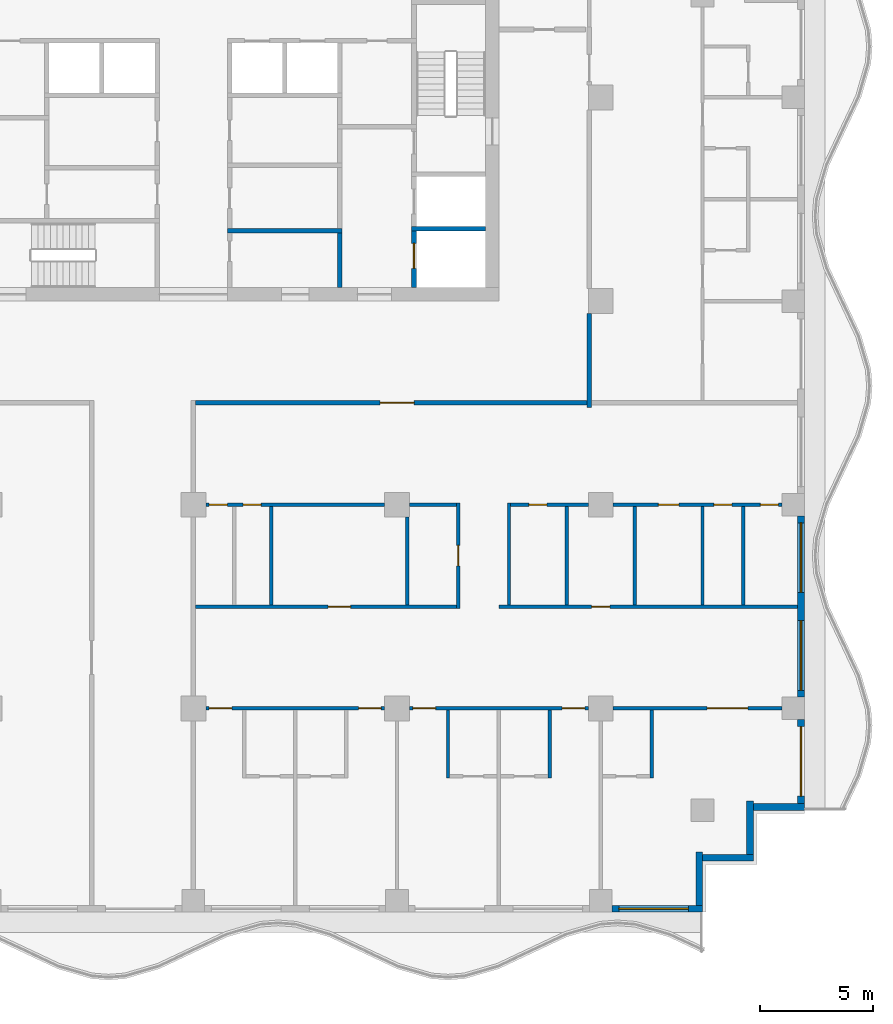
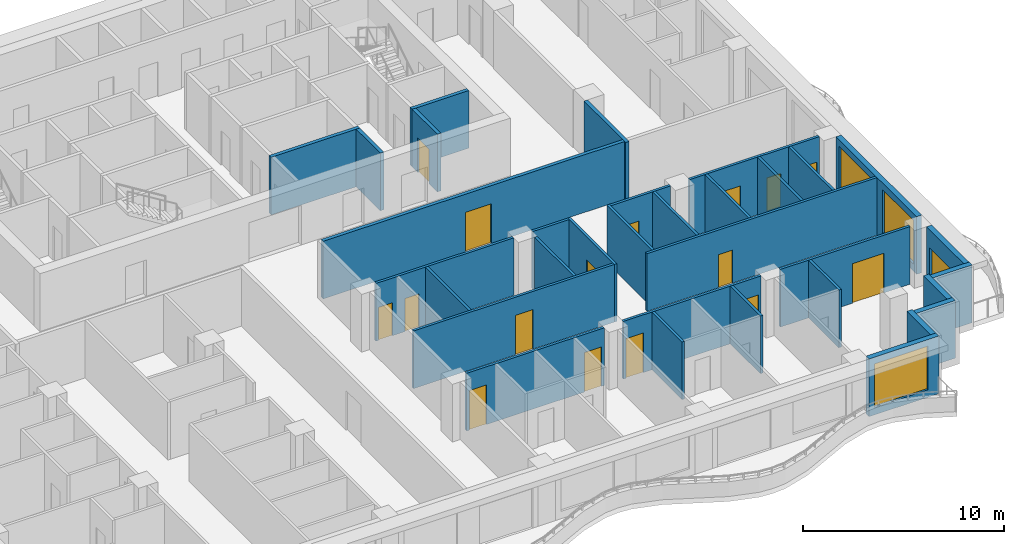
# One storey, part 4 of 12: 33 walls, 17 doors, 3 windows, 20 openings.
"""IFC4 building model written with IfcOpenShell, lengths in metres."""

from ifc_helpers import new_model, si_unit, direction, frame, frame_2d, origin, place, context, subcontext, project, spatial, rectangle, extrude, material, layer, layer_set, type_object, element, fill, save


model = new_model("IFC4")

# Units and contexts
model_context = context("Model", 3, precision=1e-05, world=origin(), true_north=direction((0.0, 1.0)))
body_context = subcontext(model_context, "Body", "Model", "MODEL_VIEW")
ifc_project = project(units=[si_unit("LENGTHUNIT", "METRE"), si_unit("AREAUNIT", "SQUARE_METRE"), si_unit("VOLUMEUNIT", "CUBIC_METRE"), si_unit("PLANEANGLEUNIT", "RADIAN"), si_unit("MASSUNIT", "GRAM", prefix="KILO")], contexts=[model_context])

# Site, building, storey
site_placement = place(None, origin())
site = spatial("IfcSite", under=ifc_project, at=site_placement, CompositionType="ELEMENT")
building_placement = place(site_placement, origin())
building = spatial("IfcBuilding", under=site, at=building_placement, Name="Orbiselva Terraces", CompositionType="ELEMENT")
storey_placement = place(building_placement, frame((0.0, 0.0, 211.0)))
storey = spatial("IfcBuildingStorey", under=building, at=storey_placement, Name="L53", CompositionType="ELEMENT", Elevation=211.0)

# Walls
ifc_material_1 = material(Name="Concrete C60/75", Category="concrete")
ifc_layer_1 = layer(ifc_material_1, 0.2)
ifc_layer_set_1 = layer_set([ifc_layer_1], Name="Concrete C60/75")
wall_type_1 = type_object("IfcWallType", Name="CORE-WALL-SHEAR-200", PredefinedType="SHEAR", material=ifc_layer_set_1)
wall_1_placement = place(storey_placement, frame((1.5, 7.6, 0.0), z_axis=(0.0, 0.0, 1.0), x_axis=(1.0, 0.0, 0.0)))
element("IfcWall", 1, at=wall_1_placement, inside=storey, type_object=wall_type_1, Name="L53 core wall 28", PredefinedType="SHEAR", context=body_context, shape_type="SweptSolid", body=[
    extrude(rectangle(XDim=5.075, YDim=0.2, at=frame_2d((2.5375, 0.0))), origin(), (0.0, 0.0, 1.0), 3.5),
])
wall_2_placement = place(storey_placement, frame((6.475, 5.1, 0.0), z_axis=(0.0, 0.0, 1.0), x_axis=(0.0, 1.0, 0.0)))
element("IfcWall", 2, at=wall_2_placement, inside=storey, type_object=wall_type_1, Name="L53 core wall 38", PredefinedType="SHEAR", context=body_context, shape_type="SweptSolid", body=[
    extrude(rectangle(XDim=2.4, YDim=0.2, at=frame_2d((1.2, 0.0))), origin(), (0.0, 0.0, 1.0), 3.5),
])

# Wall, opening, door
wall_3_placement = place(storey_placement, frame((9.75, 5.1, 0.0), z_axis=(0.0, 0.0, 1.0), x_axis=(0.0, 1.0, 0.0)))
wall_3 = element("IfcWall", 3, at=wall_3_placement, inside=storey, type_object=wall_type_1, Name="L53 core wall 45", PredefinedType="SHEAR", context=body_context, shape_type="SweptSolid", body=[
    extrude(rectangle(XDim=2.5, YDim=0.2, at=frame_2d((1.25, 0.0))), origin(), (0.0, 0.0, 1.0), 3.5),
])
opening_1_placement = place(wall_3_placement, frame((0.85, 0.0, 0.0)))
opening_1 = element("IfcOpeningElement", 4, at=opening_1_placement, cuts=wall_3, Name="Opening LD-FF1", PredefinedType="OPENING", context=body_context, shape_type="SweptSolid", body=[
    extrude(rectangle(XDim=1.1, YDim=2.1, at=frame_2d((0.55, 1.05))), frame((0.0, 0.11, 0.0), z_axis=(0.0, -1.0, 0.0), x_axis=(1.0, 0.0, 0.0)), (0.0, 0.0, 1.0), 0.22),
])
ifc_material_2 = material(Name="Stainless steel landing door", Category="steel")
door_type_1 = type_object("IfcDoorType", Name="LANDING DOOR 1100", OperationType="SLIDING_TO_LEFT", PredefinedType="DOOR", material=ifc_material_2)
door_1_placement = place(opening_1_placement, origin())
door_1 = element("IfcDoor", 5, at=door_1_placement, inside=storey, type_object=door_type_1, Name="L53 landing door FF1", OperationType="SLIDING_TO_RIGHT", OverallHeight=2.1, OverallWidth=1.1, PredefinedType="DOOR", context=body_context, shape_type="SweptSolid", body=[
    extrude(rectangle(XDim=1.1, YDim=2.1, at=frame_2d((0.55, 1.05))), frame((0.0, 0.025, 0.0), z_axis=(0.0, -1.0, 0.0), x_axis=(1.0, 0.0, 0.0)), (0.0, 0.0, 1.0), 0.05),
])
fill(opening_1, door_1)

# Wall
wall_4_placement = place(storey_placement, frame((9.65, 7.7, 0.0), z_axis=(0.0, 0.0, 1.0), x_axis=(1.0, 0.0, 0.0)))
element("IfcWall", 6, at=wall_4_placement, inside=storey, type_object=wall_type_1, Name="L53 core wall 46", PredefinedType="SHEAR", context=body_context, shape_type="SweptSolid", body=[
    extrude(rectangle(XDim=3.25, YDim=0.2, at=frame_2d((1.625, 0.0))), origin(), (0.0, 0.0, 1.0), 3.5),
])

# Wall, opening, window
ifc_material_3 = material(Name="Terracotta cladding on masonry backing", Category="masonry")
ifc_layer_2 = layer(ifc_material_3, 0.3)
ifc_layer_set_2 = layer_set([ifc_layer_2], Name="Terracotta cladding on masonry backing")
wall_type_2 = type_object("IfcWallType", Name="ENV-WALL-TERRACOTTA-300", PredefinedType="SOLIDWALL", material=ifc_layer_set_2)
wall_5_placement = place(storey_placement, frame((22.5, -22.35, 0.0), z_axis=(0.0, 0.0, 1.0), x_axis=(-1.0, 0.0, 0.0)))
wall_5 = element("IfcWall", 7, at=wall_5_placement, inside=storey, type_object=wall_type_2, Name="Facade wall L53 S", PredefinedType="SOLIDWALL", context=body_context, shape_type="SweptSolid", body=[
    extrude(rectangle(XDim=4.0, YDim=0.3, at=frame_2d((2.0, 0.0))), origin(), (0.0, 0.0, 1.0), 3.5),
])
opening_2_placement = place(wall_5_placement, frame((0.625, 0.0, 0.45)))
opening_2 = element("IfcOpeningElement", 8, at=opening_2_placement, cuts=wall_5, Name="Opening WN15", PredefinedType="OPENING", context=body_context, shape_type="SweptSolid", body=[
    extrude(rectangle(XDim=3.075, YDim=2.65, at=frame_2d((1.5375, 1.325))), frame((0.0, 0.16, 0.0), z_axis=(0.0, -1.0, 0.0), x_axis=(1.0, 0.0, 0.0)), (0.0, 0.0, 1.0), 0.32),
])
ifc_material_4 = material(Name="Clear low-e glazing in aluminium frame", Category="aluminium")
window_type = type_object("IfcWindowType", Name="WINDOW 3075 X 2650 S450", PartitioningType="TRIPLE_PANEL_VERTICAL", PredefinedType="WINDOW", material=ifc_material_4)
window_1_placement = place(opening_2_placement, origin())
window_1 = element("IfcWindow", 9, at=window_1_placement, inside=storey, type_object=window_type, Name="Window L53 S", OverallHeight=2.65, OverallWidth=3.075, PartitioningType="SINGLE_PANEL", PredefinedType="WINDOW", context=body_context, shape_type="SweptSolid", body=[
    extrude(rectangle(XDim=3.075, YDim=2.65, at=frame_2d((1.5375, 1.325))), frame((0.0, 0.03, 0.0), z_axis=(0.0, -1.0, 0.0), x_axis=(1.0, 0.0, 0.0)), (0.0, 0.0, 1.0), 0.06),
])
fill(opening_2, window_1)

# Walls
wall_6_placement = place(storey_placement, frame((22.35, -19.85, 0.0), z_axis=(0.0, 0.0, 1.0), x_axis=(0.0, -1.0, 0.0)))
element("IfcWall", 10, at=wall_6_placement, inside=storey, type_object=wall_type_2, Name="Facade wall L53 STEP", PredefinedType="SOLIDWALL", context=body_context, shape_type="SweptSolid", body=[
    extrude(rectangle(XDim=2.35, YDim=0.3, at=frame_2d((1.175, 0.0))), origin(), (0.0, 0.0, 1.0), 3.5),
])
wall_7_placement = place(storey_placement, frame((24.75, -20.1, 0.0), z_axis=(0.0, 0.0, 1.0), x_axis=(-1.0, 0.0, 0.0)))
element("IfcWall", 11, at=wall_7_placement, inside=storey, type_object=wall_type_2, Name="Facade wall L53 STEP", PredefinedType="SOLIDWALL", context=body_context, shape_type="SweptSolid", body=[
    extrude(rectangle(XDim=2.25, YDim=0.3, at=frame_2d((1.125, 0.0))), origin(), (0.0, 0.0, 1.0), 3.5),
])
wall_8_placement = place(storey_placement, frame((24.6, -17.6, 0.0), z_axis=(0.0, 0.0, 1.0), x_axis=(0.0, -1.0, 0.0)))
element("IfcWall", 12, at=wall_8_placement, inside=storey, type_object=wall_type_2, Name="Facade wall L53 STEP", PredefinedType="SOLIDWALL", context=body_context, shape_type="SweptSolid", body=[
    extrude(rectangle(XDim=2.35, YDim=0.3, at=frame_2d((1.175, 0.0))), origin(), (0.0, 0.0, 1.0), 3.5),
])
wall_9_placement = place(storey_placement, frame((27.0, -17.85, 0.0), z_axis=(0.0, 0.0, 1.0), x_axis=(-1.0, 0.0, 0.0)))
element("IfcWall", 13, at=wall_9_placement, inside=storey, type_object=wall_type_2, Name="Facade wall L53 STEP", PredefinedType="SOLIDWALL", context=body_context, shape_type="SweptSolid", body=[
    extrude(rectangle(XDim=2.25, YDim=0.3, at=frame_2d((1.125, 0.0))), origin(), (0.0, 0.0, 1.0), 3.5),
])

# Wall, opening, door
wall_10_placement = place(storey_placement, frame((26.85, -14.0, 0.0), z_axis=(0.0, 0.0, 1.0), x_axis=(0.0, -1.0, 0.0)))
wall_10 = element("IfcWall", 14, at=wall_10_placement, inside=storey, type_object=wall_type_2, Name="Facade wall L53 E", PredefinedType="SOLIDWALL", context=body_context, shape_type="SweptSolid", body=[
    extrude(rectangle(XDim=3.7, YDim=0.3, at=frame_2d((1.85, 0.0))), origin(), (0.0, 0.0, 1.0), 3.5),
])
opening_3_placement = place(wall_10_placement, frame((0.3, 0.0, 0.0)))
opening_3 = element("IfcOpeningElement", 15, at=opening_3_placement, cuts=wall_10, Name="Opening Z4-C-E14", PredefinedType="OPENING", context=body_context, shape_type="SweptSolid", body=[
    extrude(rectangle(XDim=3.075, YDim=2.4, at=frame_2d((1.5375, 1.2))), frame((0.0, 0.16, 0.0), z_axis=(0.0, -1.0, 0.0), x_axis=(1.0, 0.0, 0.0)), (0.0, 0.0, 1.0), 0.32),
])
door_type_2 = type_object("IfcDoorType", Name="BALCONY DOOR 3075 X 2400", OperationType="DOUBLE_DOOR_SLIDING", PredefinedType="DOOR", material=ifc_material_4)
door_2_placement = place(opening_3_placement, origin())
door_2 = element("IfcDoor", 16, at=door_2_placement, inside=storey, type_object=door_type_2, Name="Z4-C-E14", OperationType="SINGLE_SWING_LEFT", OverallHeight=2.4, OverallWidth=3.075, PredefinedType="DOOR", context=body_context, shape_type="SweptSolid", body=[
    extrude(rectangle(XDim=3.075, YDim=2.4, at=frame_2d((1.5375, 1.2))), frame((0.0, 0.025, 0.0), z_axis=(0.0, -1.0, 0.0), x_axis=(1.0, 0.0, 0.0)), (0.0, 0.0, 1.0), 0.05),
])
fill(opening_3, door_2)

# Wall, openings, windows
wall_11_placement = place(storey_placement, frame((26.85, -5.0, 0.0), z_axis=(0.0, 0.0, 1.0), x_axis=(0.0, -1.0, 0.0)))
wall_11 = element("IfcWall", 17, at=wall_11_placement, inside=storey, type_object=wall_type_2, Name="Facade wall L53 E", PredefinedType="SOLIDWALL", context=body_context, shape_type="SweptSolid", body=[
    extrude(rectangle(XDim=8.0, YDim=0.3, at=frame_2d((4.0, 0.0))), origin(), (0.0, 0.0, 1.0), 3.5),
])
opening_4_placement = place(wall_11_placement, frame((4.625, 0.0, 0.45)))
opening_4 = element("IfcOpeningElement", 18, at=opening_4_placement, cuts=wall_11, Name="Opening WN15", PredefinedType="OPENING", context=body_context, shape_type="SweptSolid", body=[
    extrude(rectangle(XDim=3.075, YDim=2.65, at=frame_2d((1.5375, 1.325))), frame((0.0, 0.16, 0.0), z_axis=(0.0, -1.0, 0.0), x_axis=(1.0, 0.0, 0.0)), (0.0, 0.0, 1.0), 0.32),
])
opening_5_placement = place(wall_11_placement, frame((0.3, 0.0, 0.45)))
opening_5 = element("IfcOpeningElement", 19, at=opening_5_placement, cuts=wall_11, Name="Opening WN15", PredefinedType="OPENING", context=body_context, shape_type="SweptSolid", body=[
    extrude(rectangle(XDim=3.075, YDim=2.65, at=frame_2d((1.5375, 1.325))), frame((0.0, 0.16, 0.0), z_axis=(0.0, -1.0, 0.0), x_axis=(1.0, 0.0, 0.0)), (0.0, 0.0, 1.0), 0.32),
])
window_2_placement = place(opening_4_placement, origin())
window_2 = element("IfcWindow", 20, at=window_2_placement, inside=storey, type_object=window_type, Name="Window L53 E", OverallHeight=2.65, OverallWidth=3.075, PartitioningType="SINGLE_PANEL", PredefinedType="WINDOW", context=body_context, shape_type="SweptSolid", body=[
    extrude(rectangle(XDim=3.075, YDim=2.65, at=frame_2d((1.5375, 1.325))), frame((0.0, 0.03, 0.0), z_axis=(0.0, -1.0, 0.0), x_axis=(1.0, 0.0, 0.0)), (0.0, 0.0, 1.0), 0.06),
])
fill(opening_4, window_2)
window_3_placement = place(opening_5_placement, origin())
window_3 = element("IfcWindow", 21, at=window_3_placement, inside=storey, type_object=window_type, Name="Window L53 E", OverallHeight=2.65, OverallWidth=3.075, PartitioningType="SINGLE_PANEL", PredefinedType="WINDOW", context=body_context, shape_type="SweptSolid", body=[
    extrude(rectangle(XDim=3.075, YDim=2.65, at=frame_2d((1.5375, 1.325))), frame((0.0, 0.03, 0.0), z_axis=(0.0, -1.0, 0.0), x_axis=(1.0, 0.0, 0.0)), (0.0, 0.0, 1.0), 0.06),
])
fill(opening_5, window_3)

# Wall, opening, door
ifc_material_5 = material(Name="Plasterboard on steel stud partition", Category="steel")
ifc_layer_3 = layer(ifc_material_5, 0.2)
ifc_layer_set_3 = layer_set([ifc_layer_3], Name="Plasterboard on steel stud partition")
wall_type_3 = type_object("IfcWallType", Name="UNIT-ENTRANCE-WALL-200", PredefinedType="PARTITIONING", material=ifc_layer_set_3)
wall_12_placement = place(storey_placement, frame((17.4, 0.0, 0.0), z_axis=(0.0, 0.0, 1.0), x_axis=(-1.0, 0.0, 0.0)))
wall_12 = element("IfcWall", 22, at=wall_12_placement, inside=storey, type_object=wall_type_3, Name="PARTITION L53-031", PredefinedType="PARTITIONING", context=body_context, shape_type="SweptSolid", body=[
    extrude(rectangle(XDim=17.3, YDim=0.2, at=frame_2d((8.65, 0.0))), origin(), (0.0, 0.0, 1.0), 3.5),
])
opening_6_placement = place(wall_12_placement, frame((7.65, 0.0, 0.0)))
opening_6 = element("IfcOpeningElement", 23, at=opening_6_placement, cuts=wall_12, Name="Opening Z4-C-34", PredefinedType="OPENING", context=body_context, shape_type="SweptSolid", body=[
    extrude(rectangle(XDim=1.5, YDim=2.4, at=frame_2d((0.75, 1.2))), frame((0.0, 0.11, 0.0), z_axis=(0.0, -1.0, 0.0), x_axis=(1.0, 0.0, 0.0)), (0.0, 0.0, 1.0), 0.22),
])
ifc_material_6 = material(Name="Painted timber door leaf", Category="wood")
door_type_3 = type_object("IfcDoorType", Name="ENTRANCE DOUBLE DOOR 1500", OperationType="NOTDEFINED", PredefinedType="DOOR", material=ifc_material_6)
door_3_placement = place(opening_6_placement, origin())
door_3 = element("IfcDoor", 24, at=door_3_placement, inside=storey, type_object=door_type_3, Name="Z4-C-34", OperationType="DOUBLE_DOOR_SINGLE_SWING", OverallHeight=2.4, OverallWidth=1.5, PredefinedType="DOOR", context=body_context, shape_type="SweptSolid", body=[
    extrude(rectangle(XDim=1.5, YDim=2.4, at=frame_2d((0.75, 1.2))), frame((0.0, 0.025, 0.0), z_axis=(0.0, -1.0, 0.0), x_axis=(1.0, 0.0, 0.0)), (0.0, 0.0, 1.0), 0.05),
])
fill(opening_6, door_3)

# Wall
wall_13_placement = place(storey_placement, frame((17.5, -0.2, 0.0), z_axis=(0.0, 0.0, 1.0), x_axis=(0.0, 1.0, 0.0)))
element("IfcWall", 25, at=wall_13_placement, inside=storey, type_object=wall_type_3, Name="PARTITION L53-085", PredefinedType="PARTITIONING", context=body_context, shape_type="SweptSolid", body=[
    extrude(rectangle(XDim=4.15, YDim=0.2, at=frame_2d((2.075, 0.0))), origin(), (0.0, 0.0, 1.0), 3.5),
])

# Wall, openings, doors
ifc_layer_4 = layer(ifc_material_5, 0.15)
ifc_layer_set_4 = layer_set([ifc_layer_4], Name="Plasterboard on steel stud partition")
wall_type_4 = type_object("IfcWallType", Name="UNIT-PARTITION-150", PredefinedType="PARTITIONING", material=ifc_layer_set_4)
wall_14_placement = place(storey_placement, frame((8.45, -13.5, 0.0), z_axis=(0.0, 0.0, 1.0), x_axis=(-1.0, 0.0, 0.0)))
wall_14 = element("IfcWall", 26, at=wall_14_placement, inside=storey, type_object=wall_type_4, Name="PARTITION L53-012", PredefinedType="PARTITIONING", context=body_context, shape_type="SweptSolid", body=[
    extrude(rectangle(XDim=7.9, YDim=0.15, at=frame_2d((3.95, 0.0))), origin(), (0.0, 0.0, 1.0), 3.5),
])
opening_7_placement = place(wall_14_placement, frame((6.75, 0.0, 0.0)))
opening_7 = element("IfcOpeningElement", 27, at=opening_7_placement, cuts=wall_14, Name="Opening Z4-C-44", PredefinedType="OPENING", context=body_context, shape_type="SweptSolid", body=[
    extrude(rectangle(XDim=1.0, YDim=2.4, at=frame_2d((0.5, 1.2))), frame((0.0, 0.085, 0.0), z_axis=(0.0, -1.0, 0.0), x_axis=(1.0, 0.0, 0.0)), (0.0, 0.0, 1.0), 0.17),
])
opening_8_placement = place(wall_14_placement, frame((0.15, 0.0, 0.0)))
opening_8 = element("IfcOpeningElement", 28, at=opening_8_placement, cuts=wall_14, Name="Opening Z4-C-46", PredefinedType="OPENING", context=body_context, shape_type="SweptSolid", body=[
    extrude(rectangle(XDim=1.0, YDim=2.4, at=frame_2d((0.5, 1.2))), frame((0.0, 0.085, 0.0), z_axis=(0.0, -1.0, 0.0), x_axis=(1.0, 0.0, 0.0)), (0.0, 0.0, 1.0), 0.17),
])
door_type_4 = type_object("IfcDoorType", Name="ROOM DOOR 1000", OperationType="NOTDEFINED", PredefinedType="DOOR", material=ifc_material_6)
door_4_placement = place(opening_7_placement, origin())
door_4 = element("IfcDoor", 29, at=door_4_placement, inside=storey, type_object=door_type_4, Name="Z4-C-44", OperationType="SINGLE_SWING_RIGHT", OverallHeight=2.4, OverallWidth=1.0, PredefinedType="DOOR", context=body_context, shape_type="SweptSolid", body=[
    extrude(rectangle(XDim=1.0, YDim=2.4, at=frame_2d((0.5, 1.2))), frame((0.0, 0.025, 0.0), z_axis=(0.0, -1.0, 0.0), x_axis=(1.0, 0.0, 0.0)), (0.0, 0.0, 1.0), 0.05),
])
fill(opening_7, door_4)
door_5_placement = place(opening_8_placement, origin())
door_5 = element("IfcDoor", 30, at=door_5_placement, inside=storey, type_object=door_type_4, Name="Z4-C-46", OperationType="SINGLE_SWING_LEFT", OverallHeight=2.4, OverallWidth=1.0, PredefinedType="DOOR", context=body_context, shape_type="SweptSolid", body=[
    extrude(rectangle(XDim=1.0, YDim=2.4, at=frame_2d((0.5, 1.2))), frame((0.0, 0.025, 0.0), z_axis=(0.0, -1.0, 0.0), x_axis=(1.0, 0.0, 0.0)), (0.0, 0.0, 1.0), 0.05),
])
fill(opening_8, door_5)

wall_15_placement = place(storey_placement, frame((17.45, -13.5, 0.0), z_axis=(0.0, 0.0, 1.0), x_axis=(-1.0, 0.0, 0.0)))
wall_15 = element("IfcWall", 31, at=wall_15_placement, inside=storey, type_object=wall_type_4, Name="PARTITION L53-013", PredefinedType="PARTITIONING", context=body_context, shape_type="SweptSolid", body=[
    extrude(rectangle(XDim=7.9, YDim=0.15, at=frame_2d((3.95, 0.0))), origin(), (0.0, 0.0, 1.0), 3.5),
])
opening_9_placement = place(wall_15_placement, frame((6.75, 0.0, 0.0)))
opening_9 = element("IfcOpeningElement", 32, at=opening_9_placement, cuts=wall_15, Name="Opening Z4-C-48", PredefinedType="OPENING", context=body_context, shape_type="SweptSolid", body=[
    extrude(rectangle(XDim=1.0, YDim=2.4, at=frame_2d((0.5, 1.2))), frame((0.0, 0.085, 0.0), z_axis=(0.0, -1.0, 0.0), x_axis=(1.0, 0.0, 0.0)), (0.0, 0.0, 1.0), 0.17),
])
opening_10_placement = place(wall_15_placement, frame((0.15, 0.0, 0.0)))
opening_10 = element("IfcOpeningElement", 33, at=opening_10_placement, cuts=wall_15, Name="Opening Z4-C-50", PredefinedType="OPENING", context=body_context, shape_type="SweptSolid", body=[
    extrude(rectangle(XDim=1.0, YDim=2.4, at=frame_2d((0.5, 1.2))), frame((0.0, 0.085, 0.0), z_axis=(0.0, -1.0, 0.0), x_axis=(1.0, 0.0, 0.0)), (0.0, 0.0, 1.0), 0.17),
])
door_6_placement = place(opening_9_placement, origin())
door_6 = element("IfcDoor", 34, at=door_6_placement, inside=storey, type_object=door_type_4, Name="Z4-C-48", OperationType="SINGLE_SWING_RIGHT", OverallHeight=2.4, OverallWidth=1.0, PredefinedType="DOOR", context=body_context, shape_type="SweptSolid", body=[
    extrude(rectangle(XDim=1.0, YDim=2.4, at=frame_2d((0.5, 1.2))), frame((0.0, 0.025, 0.0), z_axis=(0.0, -1.0, 0.0), x_axis=(1.0, 0.0, 0.0)), (0.0, 0.0, 1.0), 0.05),
])
fill(opening_9, door_6)
door_7_placement = place(opening_10_placement, origin())
door_7 = element("IfcDoor", 35, at=door_7_placement, inside=storey, type_object=door_type_4, Name="Z4-C-50", OperationType="SINGLE_SWING_LEFT", OverallHeight=2.4, OverallWidth=1.0, PredefinedType="DOOR", context=body_context, shape_type="SweptSolid", body=[
    extrude(rectangle(XDim=1.0, YDim=2.4, at=frame_2d((0.5, 1.2))), frame((0.0, 0.025, 0.0), z_axis=(0.0, -1.0, 0.0), x_axis=(1.0, 0.0, 0.0)), (0.0, 0.0, 1.0), 0.05),
])
fill(opening_10, door_7)

# Wall, opening, door
wall_16_placement = place(storey_placement, frame((26.0, -13.5, 0.0), z_axis=(0.0, 0.0, 1.0), x_axis=(-1.0, 0.0, 0.0)))
wall_16 = element("IfcWall", 36, at=wall_16_placement, inside=storey, type_object=wall_type_4, Name="PARTITION L53-014", PredefinedType="PARTITIONING", context=body_context, shape_type="SweptSolid", body=[
    extrude(rectangle(XDim=7.45, YDim=0.15, at=frame_2d((3.725, 0.0))), origin(), (0.0, 0.0, 1.0), 3.5),
])
opening_11_placement = place(wall_16_placement, frame((1.5, 0.0, 0.0)))
opening_11 = element("IfcOpeningElement", 37, at=opening_11_placement, cuts=wall_16, Name="Opening Z4-C-52", PredefinedType="OPENING", context=body_context, shape_type="SweptSolid", body=[
    extrude(rectangle(XDim=1.8, YDim=2.4, at=frame_2d((0.9, 1.2))), frame((0.0, 0.085, 0.0), z_axis=(0.0, -1.0, 0.0), x_axis=(1.0, 0.0, 0.0)), (0.0, 0.0, 1.0), 0.17),
])
door_type_5 = type_object("IfcDoorType", Name="DOUBLE DOOR 1800", OperationType="NOTDEFINED", PredefinedType="DOOR", material=ifc_material_6)
door_8_placement = place(opening_11_placement, origin())
door_8 = element("IfcDoor", 38, at=door_8_placement, inside=storey, type_object=door_type_5, Name="Z4-C-52", OperationType="DOUBLE_DOOR_SINGLE_SWING", OverallHeight=2.4, OverallWidth=1.8, PredefinedType="DOOR", context=body_context, shape_type="SweptSolid", body=[
    extrude(rectangle(XDim=1.8, YDim=2.4, at=frame_2d((0.9, 1.2))), frame((0.0, 0.025, 0.0), z_axis=(0.0, -1.0, 0.0), x_axis=(1.0, 0.0, 0.0)), (0.0, 0.0, 1.0), 0.05),
])
fill(opening_11, door_8)

wall_17_placement = place(storey_placement, frame((0.1, -9.0, 0.0), z_axis=(0.0, 0.0, 1.0), x_axis=(1.0, 0.0, 0.0)))
wall_17 = element("IfcWall", 39, at=wall_17_placement, inside=storey, type_object=wall_type_4, Name="PARTITION L53-019", PredefinedType="PARTITIONING", context=body_context, shape_type="SweptSolid", body=[
    extrude(rectangle(XDim=11.525, YDim=0.15, at=frame_2d((5.7625, 0.0))), origin(), (0.0, 0.0, 1.0), 3.5),
])
opening_12_placement = place(wall_17_placement, frame((5.85, 0.0, 0.0)))
opening_12 = element("IfcOpeningElement", 40, at=opening_12_placement, cuts=wall_17, Name="Opening Z4-C-37", PredefinedType="OPENING", context=body_context, shape_type="SweptSolid", body=[
    extrude(rectangle(XDim=1.0, YDim=2.4, at=frame_2d((0.5, 1.2))), frame((0.0, 0.085, 0.0), z_axis=(0.0, -1.0, 0.0), x_axis=(1.0, 0.0, 0.0)), (0.0, 0.0, 1.0), 0.17),
])
door_9_placement = place(opening_12_placement, origin())
door_9 = element("IfcDoor", 41, at=door_9_placement, inside=storey, type_object=door_type_4, Name="Z4-C-37", OperationType="SINGLE_SWING_RIGHT", OverallHeight=2.4, OverallWidth=1.0, PredefinedType="DOOR", context=body_context, shape_type="SweptSolid", body=[
    extrude(rectangle(XDim=1.0, YDim=2.4, at=frame_2d((0.5, 1.2))), frame((0.0, 0.025, 0.0), z_axis=(0.0, -1.0, 0.0), x_axis=(1.0, 0.0, 0.0)), (0.0, 0.0, 1.0), 0.05),
])
fill(opening_12, door_9)

wall_18_placement = place(storey_placement, frame((13.5, -9.0, 0.0), z_axis=(0.0, 0.0, 1.0), x_axis=(1.0, 0.0, 0.0)))
wall_18 = element("IfcWall", 42, at=wall_18_placement, inside=storey, type_object=wall_type_4, Name="PARTITION L53-020", PredefinedType="PARTITIONING", context=body_context, shape_type="SweptSolid", body=[
    extrude(rectangle(XDim=13.2, YDim=0.15, at=frame_2d((6.6, 0.0))), origin(), (0.0, 0.0, 1.0), 3.5),
])
opening_13_placement = place(wall_18_placement, frame((4.1, 0.0, 0.0)))
opening_13 = element("IfcOpeningElement", 43, at=opening_13_placement, cuts=wall_18, Name="Opening Z4-C-40", PredefinedType="OPENING", context=body_context, shape_type="SweptSolid", body=[
    extrude(rectangle(XDim=0.8, YDim=2.0, at=frame_2d((0.4, 1.0))), frame((0.0, 0.085, 0.0), z_axis=(0.0, -1.0, 0.0), x_axis=(1.0, 0.0, 0.0)), (0.0, 0.0, 1.0), 0.17),
])
door_type_6 = type_object("IfcDoorType", Name="STORE DOOR 800", OperationType="NOTDEFINED", PredefinedType="DOOR", material=ifc_material_6)
door_10_placement = place(opening_13_placement, origin())
door_10 = element("IfcDoor", 44, at=door_10_placement, inside=storey, type_object=door_type_6, Name="Z4-C-40", OperationType="SINGLE_SWING_LEFT", OverallHeight=2.0, OverallWidth=0.8, PredefinedType="DOOR", context=body_context, shape_type="SweptSolid", body=[
    extrude(rectangle(XDim=0.8, YDim=2.0, at=frame_2d((0.4, 1.0))), frame((0.0, 0.025, 0.0), z_axis=(0.0, -1.0, 0.0), x_axis=(1.0, 0.0, 0.0)), (0.0, 0.0, 1.0), 0.05),
])
fill(opening_13, door_10)

# Wall, openings, doors
wall_19_placement = place(storey_placement, frame((8.45, -4.5, 0.0), z_axis=(0.0, 0.0, 1.0), x_axis=(-1.0, 0.0, 0.0)))
wall_19 = element("IfcWall", 45, at=wall_19_placement, inside=storey, type_object=wall_type_4, Name="PARTITION L53-025", PredefinedType="PARTITIONING", context=body_context, shape_type="SweptSolid", body=[
    extrude(rectangle(XDim=7.9, YDim=0.15, at=frame_2d((3.95, 0.0))), origin(), (0.0, 0.0, 1.0), 3.5),
])
opening_14_placement = place(wall_19_placement, frame((6.95, 0.0, 0.0)))
opening_14 = element("IfcOpeningElement", 46, at=opening_14_placement, cuts=wall_19, Name="Opening Z4-C-35", PredefinedType="OPENING", context=body_context, shape_type="SweptSolid", body=[
    extrude(rectangle(XDim=0.8, YDim=2.0, at=frame_2d((0.4, 1.0))), frame((0.0, 0.085, 0.0), z_axis=(0.0, -1.0, 0.0), x_axis=(1.0, 0.0, 0.0)), (0.0, 0.0, 1.0), 0.17),
])
opening_15_placement = place(wall_19_placement, frame((5.45, 0.0, 0.0)))
opening_15 = element("IfcOpeningElement", 47, at=opening_15_placement, cuts=wall_19, Name="Opening Z4-C-36", PredefinedType="OPENING", context=body_context, shape_type="SweptSolid", body=[
    extrude(rectangle(XDim=0.8, YDim=2.0, at=frame_2d((0.4, 1.0))), frame((0.0, 0.085, 0.0), z_axis=(0.0, -1.0, 0.0), x_axis=(1.0, 0.0, 0.0)), (0.0, 0.0, 1.0), 0.17),
])
door_11_placement = place(opening_14_placement, origin())
door_11 = element("IfcDoor", 48, at=door_11_placement, inside=storey, type_object=door_type_6, Name="Z4-C-35", OperationType="SINGLE_SWING_RIGHT", OverallHeight=2.0, OverallWidth=0.8, PredefinedType="DOOR", context=body_context, shape_type="SweptSolid", body=[
    extrude(rectangle(XDim=0.8, YDim=2.0, at=frame_2d((0.4, 1.0))), frame((0.0, 0.025, 0.0), z_axis=(0.0, -1.0, 0.0), x_axis=(1.0, 0.0, 0.0)), (0.0, 0.0, 1.0), 0.05),
])
fill(opening_14, door_11)
door_12_placement = place(opening_15_placement, origin())
door_12 = element("IfcDoor", 49, at=door_12_placement, inside=storey, type_object=door_type_6, Name="Z4-C-36", OperationType="SINGLE_SWING_RIGHT", OverallHeight=2.0, OverallWidth=0.8, PredefinedType="DOOR", context=body_context, shape_type="SweptSolid", body=[
    extrude(rectangle(XDim=0.8, YDim=2.0, at=frame_2d((0.4, 1.0))), frame((0.0, 0.025, 0.0), z_axis=(0.0, -1.0, 0.0), x_axis=(1.0, 0.0, 0.0)), (0.0, 0.0, 1.0), 0.05),
])
fill(opening_15, door_12)

# Wall
wall_20_placement = place(storey_placement, frame((9.55, -4.5, 0.0), z_axis=(0.0, 0.0, 1.0), x_axis=(1.0, 0.0, 0.0)))
element("IfcWall", 50, at=wall_20_placement, inside=storey, type_object=wall_type_4, Name="PARTITION L53-026", PredefinedType="PARTITIONING", context=body_context, shape_type="SweptSolid", body=[
    extrude(rectangle(XDim=2.075, YDim=0.15, at=frame_2d((1.0375, 0.0))), origin(), (0.0, 0.0, 1.0), 3.5),
])

# Wall, opening, door
wall_21_placement = place(storey_placement, frame((17.45, -4.5, 0.0), z_axis=(0.0, 0.0, 1.0), x_axis=(-1.0, 0.0, 0.0)))
wall_21 = element("IfcWall", 51, at=wall_21_placement, inside=storey, type_object=wall_type_4, Name="PARTITION L53-027", PredefinedType="PARTITIONING", context=body_context, shape_type="SweptSolid", body=[
    extrude(rectangle(XDim=3.425, YDim=0.15, at=frame_2d((1.7125, 0.0))), origin(), (0.0, 0.0, 1.0), 3.5),
])
opening_16_placement = place(wall_21_placement, frame((1.825, 0.0, 0.0)))
opening_16 = element("IfcOpeningElement", 52, at=opening_16_placement, cuts=wall_21, Name="Opening Z4-C-39", PredefinedType="OPENING", context=body_context, shape_type="SweptSolid", body=[
    extrude(rectangle(XDim=0.8, YDim=2.0, at=frame_2d((0.4, 1.0))), frame((0.0, 0.085, 0.0), z_axis=(0.0, -1.0, 0.0), x_axis=(1.0, 0.0, 0.0)), (0.0, 0.0, 1.0), 0.17),
])
door_13_placement = place(opening_16_placement, origin())
door_13 = element("IfcDoor", 53, at=door_13_placement, inside=storey, type_object=door_type_6, Name="Z4-C-39", OperationType="SINGLE_SWING_RIGHT", OverallHeight=2.0, OverallWidth=0.8, PredefinedType="DOOR", context=body_context, shape_type="SweptSolid", body=[
    extrude(rectangle(XDim=0.8, YDim=2.0, at=frame_2d((0.4, 1.0))), frame((0.0, 0.025, 0.0), z_axis=(0.0, -1.0, 0.0), x_axis=(1.0, 0.0, 0.0)), (0.0, 0.0, 1.0), 0.05),
])
fill(opening_16, door_13)

# Wall, openings, doors
wall_22_placement = place(storey_placement, frame((26.0, -4.5, 0.0), z_axis=(0.0, 0.0, 1.0), x_axis=(-1.0, 0.0, 0.0)))
wall_22 = element("IfcWall", 54, at=wall_22_placement, inside=storey, type_object=wall_type_4, Name="PARTITION L53-028", PredefinedType="PARTITIONING", context=body_context, shape_type="SweptSolid", body=[
    extrude(rectangle(XDim=7.45, YDim=0.15, at=frame_2d((3.725, 0.0))), origin(), (0.0, 0.0, 1.0), 3.5),
])
opening_17_placement = place(wall_22_placement, frame((4.55, 0.0, 0.0)))
opening_17 = element("IfcOpeningElement", 55, at=opening_17_placement, cuts=wall_22, Name="Opening Z4-C-41", PredefinedType="OPENING", context=body_context, shape_type="SweptSolid", body=[
    extrude(rectangle(XDim=0.9, YDim=2.1, at=frame_2d((0.45, 1.05))), frame((0.0, 0.085, 0.0), z_axis=(0.0, -1.0, 0.0), x_axis=(1.0, 0.0, 0.0)), (0.0, 0.0, 1.0), 0.17),
])
opening_18_placement = place(wall_22_placement, frame((2.2, 0.0, 0.0)))
opening_18 = element("IfcOpeningElement", 56, at=opening_18_placement, cuts=wall_22, Name="Opening Z4-C-42", PredefinedType="OPENING", context=body_context, shape_type="SweptSolid", body=[
    extrude(rectangle(XDim=0.8, YDim=2.0, at=frame_2d((0.4, 1.0))), frame((0.0, 0.085, 0.0), z_axis=(0.0, -1.0, 0.0), x_axis=(1.0, 0.0, 0.0)), (0.0, 0.0, 1.0), 0.17),
])
opening_19_placement = place(wall_22_placement, frame((0.15, 0.0, 0.0)))
opening_19 = element("IfcOpeningElement", 57, at=opening_19_placement, cuts=wall_22, Name="Opening Z4-C-43", PredefinedType="OPENING", context=body_context, shape_type="SweptSolid", body=[
    extrude(rectangle(XDim=0.8, YDim=2.0, at=frame_2d((0.4, 1.0))), frame((0.0, 0.085, 0.0), z_axis=(0.0, -1.0, 0.0), x_axis=(1.0, 0.0, 0.0)), (0.0, 0.0, 1.0), 0.17),
])
door_type_7 = type_object("IfcDoorType", Name="SERVICE DOOR 900", OperationType="NOTDEFINED", PredefinedType="DOOR", material=ifc_material_6)
door_14_placement = place(opening_17_placement, origin())
door_14 = element("IfcDoor", 58, at=door_14_placement, inside=storey, type_object=door_type_7, Name="Z4-C-41", OperationType="SINGLE_SWING_RIGHT", OverallHeight=2.1, OverallWidth=0.9, PredefinedType="DOOR", context=body_context, shape_type="SweptSolid", body=[
    extrude(rectangle(XDim=0.9, YDim=2.1, at=frame_2d((0.45, 1.05))), frame((0.0, 0.025, 0.0), z_axis=(0.0, -1.0, 0.0), x_axis=(1.0, 0.0, 0.0)), (0.0, 0.0, 1.0), 0.05),
])
fill(opening_17, door_14)
door_15_placement = place(opening_18_placement, origin())
door_15 = element("IfcDoor", 59, at=door_15_placement, inside=storey, type_object=door_type_6, Name="Z4-C-42", OperationType="SINGLE_SWING_LEFT", OverallHeight=2.0, OverallWidth=0.8, PredefinedType="DOOR", context=body_context, shape_type="SweptSolid", body=[
    extrude(rectangle(XDim=0.8, YDim=2.0, at=frame_2d((0.4, 1.0))), frame((0.0, 0.025, 0.0), z_axis=(0.0, -1.0, 0.0), x_axis=(1.0, 0.0, 0.0)), (0.0, 0.0, 1.0), 0.05),
])
fill(opening_18, door_15)
door_16_placement = place(opening_19_placement, origin())
door_16 = element("IfcDoor", 60, at=door_16_placement, inside=storey, type_object=door_type_6, Name="Z4-C-43", OperationType="SINGLE_SWING_LEFT", OverallHeight=2.0, OverallWidth=0.8, PredefinedType="DOOR", context=body_context, shape_type="SweptSolid", body=[
    extrude(rectangle(XDim=0.8, YDim=2.0, at=frame_2d((0.4, 1.0))), frame((0.0, 0.025, 0.0), z_axis=(0.0, -1.0, 0.0), x_axis=(1.0, 0.0, 0.0)), (0.0, 0.0, 1.0), 0.05),
])
fill(opening_19, door_16)

# Walls
wall_23_placement = place(storey_placement, frame((3.45, -8.925, 0.0), z_axis=(0.0, 0.0, 1.0), x_axis=(0.0, 1.0, 0.0)))
element("IfcWall", 61, at=wall_23_placement, inside=storey, type_object=wall_type_4, Name="PARTITION L53-074", PredefinedType="PARTITIONING", context=body_context, shape_type="SweptSolid", body=[
    extrude(rectangle(XDim=4.35, YDim=0.15, at=frame_2d((2.175, 0.0))), origin(), (0.0, 0.0, 1.0), 3.5),
])
wall_24_placement = place(storey_placement, frame((9.45, -8.925, 0.0), z_axis=(0.0, 0.0, 1.0), x_axis=(0.0, 1.0, 0.0)))
element("IfcWall", 62, at=wall_24_placement, inside=storey, type_object=wall_type_4, Name="PARTITION L53-078", PredefinedType="PARTITIONING", context=body_context, shape_type="SweptSolid", body=[
    extrude(rectangle(XDim=3.875, YDim=0.15, at=frame_2d((1.9375, 0.0))), origin(), (0.0, 0.0, 1.0), 3.5),
])
wall_25_placement = place(storey_placement, frame((11.25, -16.575, 0.0), z_axis=(0.0, 0.0, 1.0), x_axis=(0.0, 1.0, 0.0)))
element("IfcWall", 63, at=wall_25_placement, inside=storey, type_object=wall_type_4, Name="PARTITION L53-079", PredefinedType="PARTITIONING", context=body_context, shape_type="SweptSolid", body=[
    extrude(rectangle(XDim=3.0, YDim=0.15, at=frame_2d((1.5, 0.0))), origin(), (0.0, 0.0, 1.0), 3.5),
])

# Wall, opening, door
wall_26_placement = place(storey_placement, frame((11.7, -9.075, 0.0), z_axis=(0.0, 0.0, 1.0), x_axis=(0.0, 1.0, 0.0)))
wall_26 = element("IfcWall", 64, at=wall_26_placement, inside=storey, type_object=wall_type_4, Name="PARTITION L53-080", PredefinedType="PARTITIONING", context=body_context, shape_type="SweptSolid", body=[
    extrude(rectangle(XDim=4.65, YDim=0.15, at=frame_2d((2.325, 0.0))), origin(), (0.0, 0.0, 1.0), 3.5),
])
opening_20_placement = place(wall_26_placement, frame((1.875, 0.0, 0.0)))
opening_20 = element("IfcOpeningElement", 65, at=opening_20_placement, cuts=wall_26, Name="Opening Z4-C-38", PredefinedType="OPENING", context=body_context, shape_type="SweptSolid", body=[
    extrude(rectangle(XDim=0.9, YDim=2.1, at=frame_2d((0.45, 1.05))), frame((0.0, 0.085, 0.0), z_axis=(0.0, -1.0, 0.0), x_axis=(1.0, 0.0, 0.0)), (0.0, 0.0, 1.0), 0.17),
])
door_type_8 = type_object("IfcDoorType", Name="BATH DOOR 900", OperationType="NOTDEFINED", PredefinedType="DOOR", material=ifc_material_6)
door_17_placement = place(opening_20_placement, origin())
door_17 = element("IfcDoor", 66, at=door_17_placement, inside=storey, type_object=door_type_8, Name="Z4-C-38", OperationType="SINGLE_SWING_LEFT", OverallHeight=2.1, OverallWidth=0.9, PredefinedType="DOOR", context=body_context, shape_type="SweptSolid", body=[
    extrude(rectangle(XDim=0.9, YDim=2.1, at=frame_2d((0.45, 1.05))), frame((0.0, 0.025, 0.0), z_axis=(0.0, -1.0, 0.0), x_axis=(1.0, 0.0, 0.0)), (0.0, 0.0, 1.0), 0.05),
])
fill(opening_20, door_17)

# Walls
wall_27_placement = place(storey_placement, frame((13.95, -8.925, 0.0), z_axis=(0.0, 0.0, 1.0), x_axis=(0.0, 1.0, 0.0)))
element("IfcWall", 67, at=wall_27_placement, inside=storey, type_object=wall_type_4, Name="PARTITION L53-082", PredefinedType="PARTITIONING", context=body_context, shape_type="SweptSolid", body=[
    extrude(rectangle(XDim=4.5, YDim=0.15, at=frame_2d((2.25, 0.0))), origin(), (0.0, 0.0, 1.0), 3.5),
])
wall_28_placement = place(storey_placement, frame((15.75, -16.575, 0.0), z_axis=(0.0, 0.0, 1.0), x_axis=(0.0, 1.0, 0.0)))
element("IfcWall", 68, at=wall_28_placement, inside=storey, type_object=wall_type_4, Name="PARTITION L53-083", PredefinedType="PARTITIONING", context=body_context, shape_type="SweptSolid", body=[
    extrude(rectangle(XDim=3.0, YDim=0.15, at=frame_2d((1.5, 0.0))), origin(), (0.0, 0.0, 1.0), 3.5),
])
for number, where, z_axis, x_axis, name in (
    (69, (16.5, -8.925, 0.0), (0.0, 0.0, 1.0), (0.0, 1.0, 0.0), "PARTITION L53-084"),
    (70, (19.5, -8.925, 0.0), (0.0, 0.0, 1.0), (0.0, 1.0, 0.0), "PARTITION L53-090"),
):
    element("IfcWall", number, at=place(storey_placement, frame(where, z_axis=z_axis, x_axis=x_axis)), inside=storey, type_object=wall_type_4, Name=name, PredefinedType="PARTITIONING", context=body_context, shape_type="SweptSolid", body=[
        extrude(rectangle(XDim=4.35, YDim=0.15, at=frame_2d((2.175, 0.0))), origin(), (0.0, 0.0, 1.0), 3.5),
    ])
wall_29_placement = place(storey_placement, frame((20.25, -16.575, 0.0), z_axis=(0.0, 0.0, 1.0), x_axis=(0.0, 1.0, 0.0)))
element("IfcWall", 71, at=wall_29_placement, inside=storey, type_object=wall_type_4, Name="PARTITION L53-091", PredefinedType="PARTITIONING", context=body_context, shape_type="SweptSolid", body=[
    extrude(rectangle(XDim=3.0, YDim=0.15, at=frame_2d((1.5, 0.0))), origin(), (0.0, 0.0, 1.0), 3.5),
])
for number, where, z_axis, x_axis, name in (
    (72, (22.5, -8.925, 0.0), (0.0, 0.0, 1.0), (0.0, 1.0, 0.0), "PARTITION L53-092"),
    (73, (24.3, -8.925, 0.0), (0.0, 0.0, 1.0), (0.0, 1.0, 0.0), "PARTITION L53-095"),
):
    element("IfcWall", number, at=place(storey_placement, frame(where, z_axis=z_axis, x_axis=x_axis)), inside=storey, type_object=wall_type_4, Name=name, PredefinedType="PARTITIONING", context=body_context, shape_type="SweptSolid", body=[
        extrude(rectangle(XDim=4.35, YDim=0.15, at=frame_2d((2.175, 0.0))), origin(), (0.0, 0.0, 1.0), 3.5),
    ])

save(model, "model.ifc")
